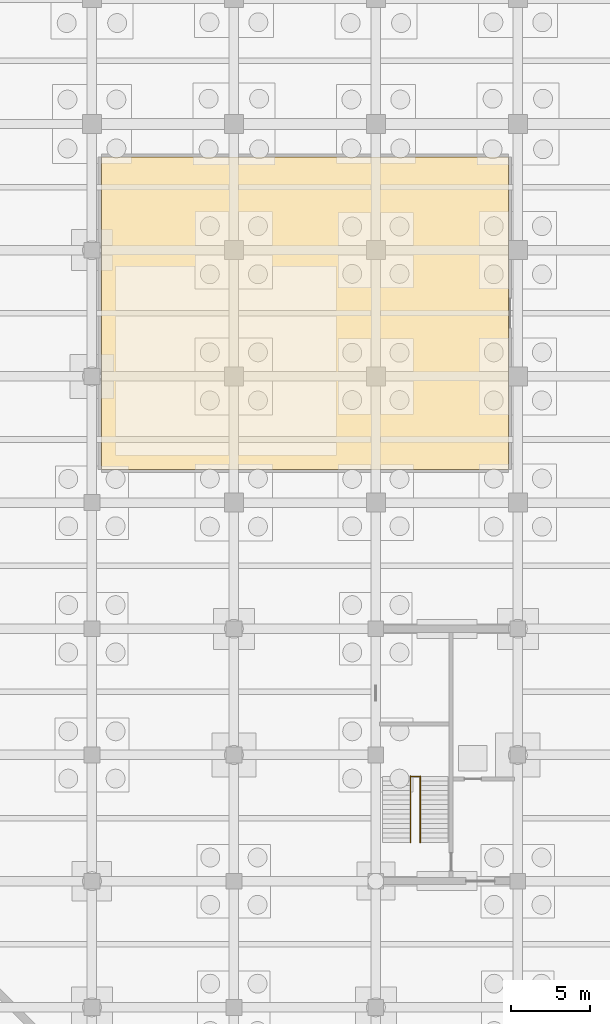
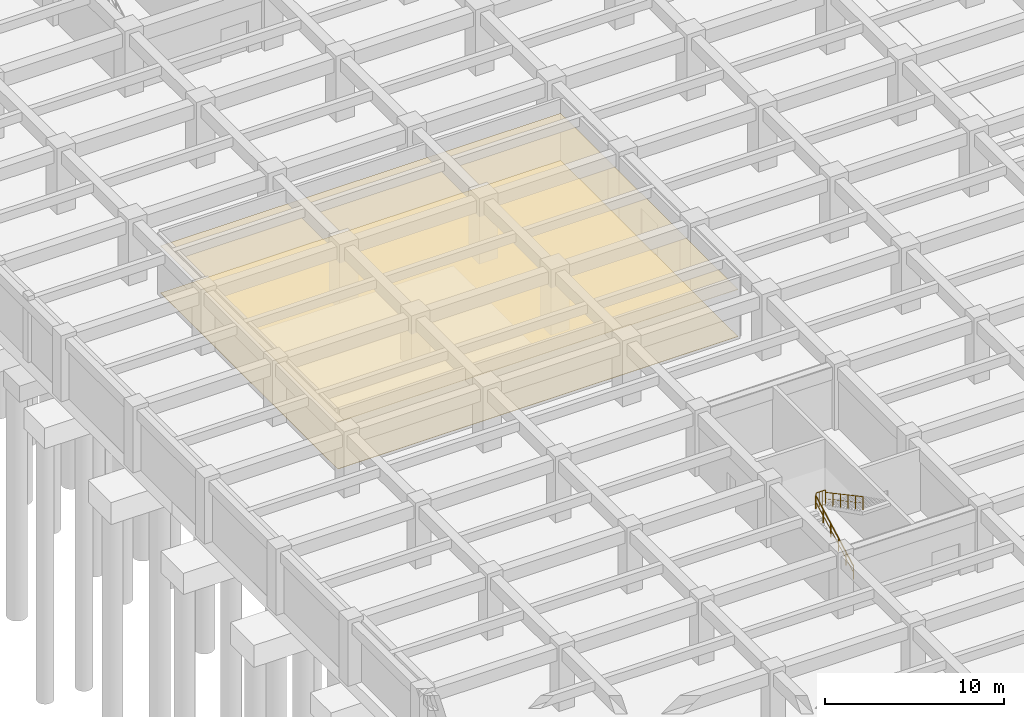
# One storey, part 27 of 31: 3 railings, 2 coverings.
"""IFC4 building model written with IfcOpenShell, lengths in metres."""

import ifcopenshell
import ifcopenshell.guid

model = None  # the IFC model being written
_history = None  # IfcOwnerHistory: only IFC2X3 demands one
_inside = {}  # id of a spatial element -> (the spatial element, [elements in it])
_under = {}  # id of a project, library or spatial element -> (it, [spatial elements below it])
_declared = {}  # id of a project -> (the project, [libraries it declares])
_typed = {}  # id of a type object -> (the type object, [elements of that type])
_made_of = {}  # id of a material, layer set ... -> (it, [elements and type objects made of it])


def new_model(schema):
    """Start an empty IFC model of exactly this schema.

    Asked for "IFC4X3", IfcOpenShell would pick the latest addendum, in which some entities
    have other attributes; the version numbers below select the first issue.
    IFC2X3 requires an IfcOwnerHistory on every rooted entity: one is made here for all.
    """
    global model, _history
    if schema == "IFC4X3":
        model = ifcopenshell.file(schema_version=(4, 3, 0, 0))
    else:
        model = ifcopenshell.file(schema=schema)
    _inside.clear()
    _under.clear()
    _declared.clear()
    _typed.clear()
    _made_of.clear()
    _history = None
    if model.schema == "IFC2X3":
        org = make("IfcOrganization", Name="unknown")
        user = make(
            "IfcPersonAndOrganization",
            ThePerson=make("IfcPerson", FamilyName="unknown"),
            TheOrganization=org,
        )
        app = make(
            "IfcApplication",
            ApplicationDeveloper=org,
            Version="unknown",
            ApplicationFullName="unknown",
            ApplicationIdentifier="unknown",
        )
        _history = make(
            "IfcOwnerHistory",
            OwningUser=user,
            OwningApplication=app,
            ChangeAction="ADDED",
            CreationDate=0,
        )
    return model


def make(cls, **values):
    """One entity of the class cls with the attributes given. An attribute that is None is left unset."""
    return model.create_entity(
        cls, **{name: value for name, value in values.items() if value is not None}
    )


def rooted(cls, **values):
    """An entity with a GlobalId (a new one), such as an element, a storey or a relation."""
    return make(cls, GlobalId=ifcopenshell.guid.new(), OwnerHistory=_history, **values)


def si_unit(unit_type, name, prefix=None):
    """IfcSIUnit, for example si_unit("LENGTHUNIT", "METRE", prefix="MILLI")."""
    return make("IfcSIUnit", UnitType=unit_type, Prefix=prefix, Name=name)


def assignment(units):
    """IfcUnitAssignment: the units of a project."""
    return None if units is None else make("IfcUnitAssignment", Units=units)


def point(xyz):
    """IfcCartesianPoint."""
    return None if xyz is None else make("IfcCartesianPoint", Coordinates=xyz)


def direction(xyz):
    """IfcDirection."""
    return None if xyz is None else make("IfcDirection", DirectionRatios=xyz)


def frame(location, z_axis=None, x_axis=None):
    """IfcAxis2Placement3D, a coordinate frame: its origin and axes. An axis left out is left unset."""
    return make(
        "IfcAxis2Placement3D",
        Location=point(location),
        Axis=direction(z_axis),
        RefDirection=direction(x_axis),
    )


def frame_2d(location, x_axis=None):
    """IfcAxis2Placement2D, a coordinate frame in the plane: its origin and x axis."""
    return make(
        "IfcAxis2Placement2D", Location=point(location), RefDirection=direction(x_axis)
    )


def origin():
    """The frame at (0, 0, 0) with its axes left unset."""
    return frame((0.0, 0.0, 0.0))


def origin_2d():
    """The frame at (0, 0) in the plane with its x axis left unset."""
    return frame_2d((0.0, 0.0))


def place(relative_to, where):
    """IfcLocalPlacement: puts the frame where relative to a parent placement (None: the world)."""
    return make(
        "IfcLocalPlacement", PlacementRelTo=relative_to, RelativePlacement=where
    )


def context(
    kind, dimensions, precision=None, world=None, true_north=None, identifier=None
):
    """IfcGeometricRepresentationContext, for example the 3D "Model" context."""
    return make(
        "IfcGeometricRepresentationContext",
        ContextIdentifier=identifier,
        ContextType=kind,
        CoordinateSpaceDimension=dimensions,
        Precision=precision,
        WorldCoordinateSystem=world,
        TrueNorth=true_north,
    )


def subcontext(parent, identifier, kind, view, scale=None):
    """IfcGeometricRepresentationSubContext, for example "Body" below "Model"."""
    return make(
        "IfcGeometricRepresentationSubContext",
        ContextIdentifier=identifier,
        ContextType=kind,
        ParentContext=parent,
        TargetScale=scale,
        TargetView=view,
    )


def project(units=None, contexts=None):
    """IfcProject with its units and contexts."""
    return rooted(
        "IfcProject",
        Name="project",
        RepresentationContexts=contexts,
        UnitsInContext=assignment(units),
    )


def spatial(cls, under=None, at=None, **own):
    """A site, building, storey or space (cls), placed at a placement, below another one or the project."""
    s = rooted(cls, ObjectPlacement=at, **own)
    if under is not None:
        _under.setdefault(under.id(), (under, []))[1].append(s)
    return s


def polyline(points):
    """IfcPolyline through the points."""
    return make("IfcPolyline", Points=[point(p) for p in points])


def profile(cls, at=None, kind="AREA", **sizes):
    """A parametric profile (cls). Its sizes go by their IFC names, for example OverallWidth=200.0."""
    return make(cls, ProfileType=kind, Position=at, **sizes)


def circle(**sizes):
    """IfcCircleProfileDef."""
    return profile("IfcCircleProfileDef", **sizes)


def outline(outer, holes=None, kind="AREA"):
    """IfcArbitraryClosedProfileDef: a profile drawn as a closed curve; with holes, ...WithVoids."""
    if holes is None:
        return make("IfcArbitraryClosedProfileDef", ProfileType=kind, OuterCurve=outer)
    return make(
        "IfcArbitraryProfileDefWithVoids",
        ProfileType=kind,
        OuterCurve=outer,
        InnerCurves=holes,
    )


def extrude(swept, where, along, depth):
    """IfcExtrudedAreaSolid: the profile swept, set in the frame where, extruded along a direction by depth."""
    return make(
        "IfcExtrudedAreaSolid",
        SweptArea=swept,
        Position=where,
        ExtrudedDirection=direction(along),
        Depth=depth,
    )


def shape(context_of_items, identifier, shape_type, items):
    """IfcShapeRepresentation: the items that make up one representation, for example the "Body"."""
    return make(
        "IfcShapeRepresentation",
        ContextOfItems=context_of_items,
        RepresentationIdentifier=identifier,
        RepresentationType=shape_type,
        Items=items,
    )


def material(Name=None, Category=None):
    """IfcMaterial."""
    return make("IfcMaterial", Name=Name, Category=Category)


def layer(
    of_material, thickness, ventilated=None, Name=None, Category=None, Priority=None
):
    """IfcMaterialLayer: one layer of a wall or slab, of a material (None: an air gap)."""
    return make(
        "IfcMaterialLayer",
        Material=of_material,
        LayerThickness=thickness,
        IsVentilated=ventilated,
        Name=Name,
        Category=Category,
        Priority=Priority,
    )


def layer_set(layers, Name=None):
    """IfcMaterialLayerSet."""
    return make("IfcMaterialLayerSet", MaterialLayers=layers, LayerSetName=Name)


def made_of(thing, what):
    """Note that an element or type object is made of a material, layer set ...; save() writes the relation."""
    if what is not None:
        _made_of.setdefault(what.id(), (what, []))[1].append(thing)
    return thing


def type_object(cls, material=None, **own):
    """A type object (cls), such as IfcWallType, which elements share."""
    return made_of(rooted(cls, **own), material)


def element(
    cls,
    number,
    at=None,
    inside=None,
    cuts=None,
    type_object=None,
    material=None,
    context=None,
    identifier="Body",
    shape_type=None,
    held_by="IfcProductDefinitionShape",
    body=None,
    shapes=None,
    **own,
):
    """One element of the class cls, such as IfcWall. Its Tag is "e" and its number.

    at: its placement. inside: the storey or other place that contains it. cuts: it is an
    opening in that element (IfcRelVoidsElement). A single representation is given by context,
    identifier, shape_type and body (its items); several are given by shapes. held_by: the class
    of the entity that holds the representations. save() writes the other relations.
    """
    e = rooted(cls, Tag="e%d" % number, ObjectPlacement=at, **own)
    if body is not None:
        shapes = [shape(context, identifier, shape_type, body)]
    if shapes is not None:
        e.Representation = make(held_by, Representations=shapes)
    if inside is not None:
        _inside.setdefault(inside.id(), (inside, []))[1].append(e)
    if cuts is not None:
        rooted(
            "IfcRelVoidsElement", RelatingBuildingElement=cuts, RelatedOpeningElement=e
        )
    if type_object is not None:
        _typed.setdefault(type_object.id(), (type_object, []))[1].append(e)
    return made_of(e, material)


def aggregate(whole, parts):
    """IfcRelAggregates: a whole, such as a stair, and the parts it consists of."""
    return rooted("IfcRelAggregates", RelatingObject=whole, RelatedObjects=parts)


def save(model, path):
    """Write the relations noted so far, then the file.

    IfcRelAggregates (storeys below a building ...), IfcRelContainedInSpatialStructure (elements
    in a storey), IfcRelDefinesByType, IfcRelAssociatesMaterial and IfcRelDeclares: one each for
    every whole, place, type object, material and project.
    """
    for whole, parts in _under.values():
        aggregate(whole, parts)
    for where, things in _inside.values():
        rooted(
            "IfcRelContainedInSpatialStructure",
            RelatedElements=things,
            RelatingStructure=where,
        )
    for kind, things in _typed.values():
        rooted("IfcRelDefinesByType", RelatedObjects=things, RelatingType=kind)
    for what, things in _made_of.values():
        rooted("IfcRelAssociatesMaterial", RelatedObjects=things, RelatingMaterial=what)
    for by, libraries in _declared.values():
        rooted("IfcRelDeclares", RelatingContext=by, RelatedDefinitions=libraries)
    model.write(path)


model = new_model("IFC4")

# Units and contexts
model_context = context("Model", 3, precision=1e-05, world=origin(), true_north=direction((0.0, 1.0)))
body_context = subcontext(model_context, "Body", "Model", "MODEL_VIEW")
ifc_project = project(units=[si_unit("LENGTHUNIT", "METRE"), si_unit("AREAUNIT", "SQUARE_METRE"), si_unit("VOLUMEUNIT", "CUBIC_METRE"), si_unit("PLANEANGLEUNIT", "RADIAN"), si_unit("MASSUNIT", "GRAM", prefix="KILO")], contexts=[model_context])

# Site, building, storey
site_placement = place(None, origin())
site = spatial("IfcSite", under=ifc_project, at=site_placement, CompositionType="ELEMENT")
building_placement = place(site_placement, origin())
building = spatial("IfcBuilding", under=site, at=building_placement, Name="Zaverband Oceanarium and Marine Research Institute", CompositionType="ELEMENT")
storey_placement = place(building_placement, frame((0.0, 0.0, -9.0)))
storey = spatial("IfcBuildingStorey", under=building, at=storey_placement, Name="B2", CompositionType="ELEMENT", Elevation=-9.0)

# Coverings
ifc_material_1 = material(Name="Perforated mineral-fibre acoustic ceiling tile")
ifc_layer_1 = layer(ifc_material_1, 0.02490234375, Name="Perforated mineral-fibre acoustic ceiling tile")
ifc_layer_set_1 = layer_set([ifc_layer_1], Name="Perforated mineral-fibre acoustic ceiling tile")
covering_type_1 = type_object("IfcCoveringType", Name="CLG-AC-15", PredefinedType="CEILING", material=ifc_layer_set_1)
covering_1_placement = place(storey_placement, frame((0.0, 0.0, 3.2099609375)))
element("IfcCovering", 1, at=covering_1_placement, inside=storey, type_object=covering_type_1, Name="Suspended acoustic ceiling CLG-AC-15", PredefinedType="CEILING", context=body_context, shape_type="SweptSolid", body=[
    extrude(outline(polyline([(9.60009765625, 42.10009765625), (35.39990234375, 42.10009765625), (35.39990234375, 61.89990234375), (9.60009765625, 61.89990234375), (9.60009765625, 42.10009765625)])), origin(), (0.0, 0.0, 1.0), 0.025146484375),
])
ifc_material_2 = material(Name="Polished marine terrazzo and seamless laboratory epoxy flooring")
ifc_layer_2 = layer(ifc_material_2, 0.02490234375, Name="Polished marine terrazzo and seamless laboratory epoxy flooring")
ifc_layer_set_2 = layer_set([ifc_layer_2], Name="Polished marine terrazzo and seamless laboratory epoxy flooring")
covering_type_2 = type_object("IfcCoveringType", Name="FLR-TRZ-20", PredefinedType="FLOORING", material=ifc_layer_set_2)
covering_2_placement = place(storey_placement, origin())
element("IfcCovering", 2, at=covering_2_placement, inside=storey, type_object=covering_type_2, Name="Terrazzo and marine epoxy floor finish FLR-TRZ-20", PredefinedType="FLOORING", context=body_context, shape_type="SweptSolid", body=[
    extrude(outline(polyline([(9.60009765625, 42.10009765625), (35.39990234375, 42.10009765625), (35.39990234375, 61.89990234375), (9.60009765625, 61.89990234375), (9.60009765625, 42.10009765625)])), origin(), (0.0, 0.0, 1.0), 0.02490234375),
])

# Railings
ifc_material_3 = material(Name="Steel S355", Category="steel")
ifc_layer_3 = layer(ifc_material_3, 0.06005859375, Name="Steel S355")
ifc_layer_set_3 = layer_set([ifc_layer_3], Name="Steel S355")
railing_type_1 = type_object("IfcRailingType", Name="GRD-1100", PredefinedType="BALUSTRADE", material=ifc_layer_set_3)
railing_1_placement = place(storey_placement, frame((29.18994140625, 22.6298828125, 2.25)))
element("IfcRailing", 3, at=railing_1_placement, inside=storey, type_object=railing_type_1, Name="1100 mm steel post-and-baluster safety guard GRD-1100", PredefinedType="BALUSTRADE", context=body_context, shape_type="SweptSolid", body=[
    extrude(circle(Radius=0.02392578125, at=origin_2d()), frame((0.0, 0.0, 1.076171875), z_axis=(1.0, 0.0, 0.0), x_axis=(0.0, 1.0, 0.0)), (0.0, 0.0, 1.0), 0.6201171875),
    extrude(circle(Radius=0.009033203125, at=origin_2d()), frame((0.0, 0.0, 0.10009765625), z_axis=(1.0, 0.0, 0.0), x_axis=(0.0, 1.0, 0.0)), (0.0, 0.0, 1.0), 0.6201171875),
    extrude(circle(Radius=0.009033203125, at=origin_2d()), frame((0.206787109375, 0.0, 0.10009765625)), (0.0, 0.0, 1.0), 0.951904296875),
    extrude(circle(Radius=0.009033203125, at=origin_2d()), frame((0.413330078125, 0.0, 0.10009765625)), (0.0, 0.0, 1.0), 0.951904296875),
    extrude(circle(Radius=0.02099609375, at=origin_2d()), origin(), (0.0, 0.0, 1.0), 1.052001953125),
    extrude(circle(Radius=0.02099609375, at=origin_2d()), frame((0.6201171875, 0.0, 0.0)), (0.0, 0.0, 1.0), 1.052001953125),
])
ifc_layer_4 = layer(ifc_material_3, 0.050048828125, Name="Steel S355")
ifc_layer_set_4 = layer_set([ifc_layer_4], Name="Steel S355")
railing_type_2 = type_object("IfcRailingType", Name="HR-920", PredefinedType="HANDRAIL", material=ifc_layer_set_4)
railing_2_placement = place(storey_placement, frame((29.18994140625, 18.449951171875, 0.0)))
element("IfcRailing", 4, at=railing_2_placement, inside=storey, type_object=railing_type_2, Name="920 mm continuous tubular stair and ramp handrail HR-920", PredefinedType="HANDRAIL", context=body_context, shape_type="SweptSolid", body=[
    extrude(circle(Radius=0.02392578125, at=origin_2d()), frame((0.0, 0.0, 0.89599609375), z_axis=(0.0, 0.881477684796, 0.472225678258), x_axis=(-1.0, 0.0, 0.0)), (0.0, 0.0, 1.0), 4.7646484375),
    extrude(circle(Radius=0.009033203125, at=origin_2d()), frame((0.0, 0.0, 0.4599609375), z_axis=(0.0, 0.881477684796, 0.472225678258), x_axis=(-1.0, 0.0, 0.0)), (0.0, 0.0, 1.0), 4.7646484375),
    extrude(circle(Radius=0.02099609375, at=origin_2d()), origin(), (0.0, 0.0, 1.0), 0.871826171875),
    extrude(circle(Radius=0.02099609375, at=origin_2d()), frame((0.0, 0.840087890625, 0.449951171875)), (0.0, 0.0, 1.0), 0.871826171875),
    extrude(circle(Radius=0.02099609375, at=origin_2d()), frame((0.0, 1.679931640625, 0.89990234375)), (0.0, 0.0, 1.0), 0.871826171875),
    extrude(circle(Radius=0.02099609375, at=origin_2d()), frame((0.0, 2.52001953125, 1.35009765625)), (0.0, 0.0, 1.0), 0.871826171875),
    extrude(circle(Radius=0.02099609375, at=origin_2d()), frame((0.0, 3.35986328125, 1.800048828125)), (0.0, 0.0, 1.0), 0.871826171875),
    extrude(circle(Radius=0.02099609375, at=origin_2d()), frame((0.0, 4.199951171875, 2.25)), (0.0, 0.0, 1.0), 0.871826171875),
])
railing_3_placement = place(storey_placement, frame((29.81005859375, 22.64990234375, 2.25)))
element("IfcRailing", 5, at=railing_3_placement, inside=storey, type_object=railing_type_2, Name="920 mm continuous tubular stair and ramp handrail HR-920", PredefinedType="HANDRAIL", context=body_context, shape_type="SweptSolid", body=[
    extrude(circle(Radius=0.02392578125, at=origin_2d()), frame((0.0, 0.0, 0.89599609375), z_axis=(0.0, -0.881477684796, 0.472225678258), x_axis=(1.0, 0.0, 0.0)), (0.0, 0.0, 1.0), 4.7646484375),
    extrude(circle(Radius=0.009033203125, at=origin_2d()), frame((0.0, 0.0, 0.4599609375), z_axis=(0.0, -0.881477684796, 0.472225678258), x_axis=(1.0, 0.0, 0.0)), (0.0, 0.0, 1.0), 4.7646484375),
    extrude(circle(Radius=0.02099609375, at=origin_2d()), origin(), (0.0, 0.0, 1.0), 0.871826171875),
    extrude(circle(Radius=0.02099609375, at=origin_2d()), frame((0.0, -0.840087890625, 0.449951171875)), (0.0, 0.0, 1.0), 0.871826171875),
    extrude(circle(Radius=0.02099609375, at=origin_2d()), frame((0.0, -1.679931640625, 0.89990234375)), (0.0, 0.0, 1.0), 0.871826171875),
    extrude(circle(Radius=0.02099609375, at=origin_2d()), frame((0.0, -2.52001953125, 1.35009765625)), (0.0, 0.0, 1.0), 0.871826171875),
    extrude(circle(Radius=0.02099609375, at=origin_2d()), frame((0.0, -3.35986328125, 1.800048828125)), (0.0, 0.0, 1.0), 0.871826171875),
    extrude(circle(Radius=0.02099609375, at=origin_2d()), frame((0.0, -4.199951171875, 2.25)), (0.0, 0.0, 1.0), 0.871826171875),
])

save(model, "model.ifc")
